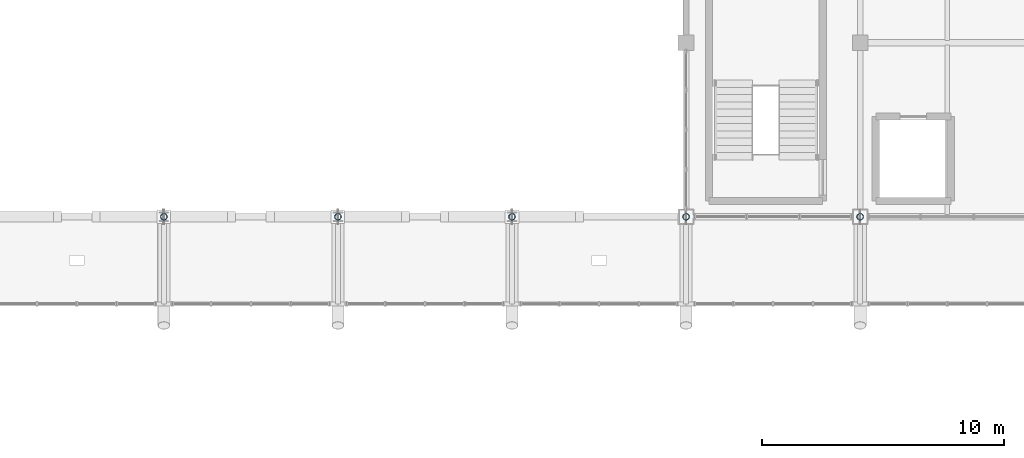
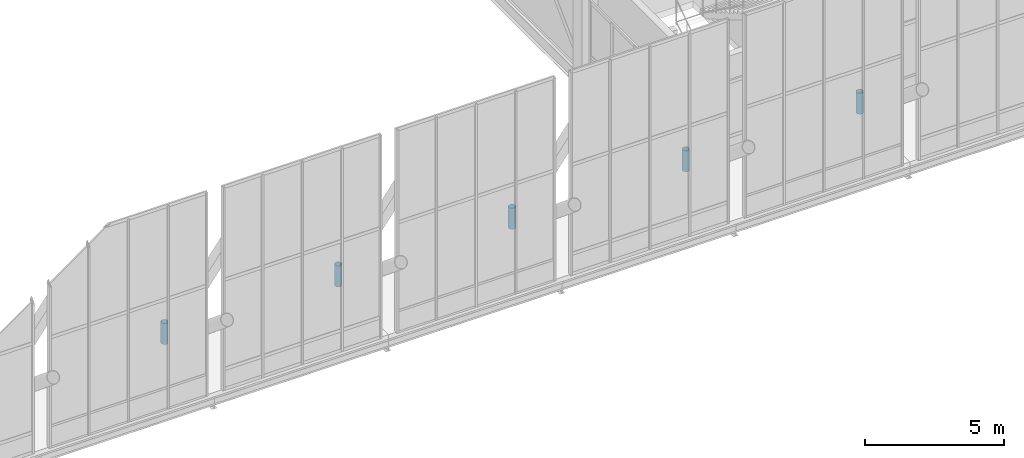
# One storey, part 71 of 102: 5 members.
"""IFC4 building model written with IfcOpenShell, lengths in metres."""

from ifc_helpers import new_model, si_unit, direction, frame, origin, origin_2d, place, context, subcontext, project, spatial, hollow_circle, extrude, material, material_profile, profile_set, type_object, element, save


model = new_model("IFC4")

# Units and contexts
model_context = context("Model", 3, precision=1e-05, world=origin(), true_north=direction((0.0, 1.0)))
body_context = subcontext(model_context, "Body", "Model", "MODEL_VIEW")
ifc_project = project(units=[si_unit("LENGTHUNIT", "METRE"), si_unit("AREAUNIT", "SQUARE_METRE"), si_unit("VOLUMEUNIT", "CUBIC_METRE"), si_unit("PLANEANGLEUNIT", "RADIAN"), si_unit("MASSUNIT", "GRAM", prefix="KILO")], contexts=[model_context])

# Site, building, storey
site_placement = place(None, origin())
site = spatial("IfcSite", under=ifc_project, at=site_placement, CompositionType="ELEMENT")
building_placement = place(site_placement, origin())
building = spatial("IfcBuilding", under=site, at=building_placement, Name="Yarey Park Central Fire Station", CompositionType="ELEMENT")
storey_placement = place(building_placement, frame((0.0, 0.0, 6.0)))
storey = spatial("IfcBuildingStorey", under=building, at=storey_placement, Name="L02", CompositionType="ELEMENT", Elevation=6.0)

# Members
ifc_material = material(Name="Steel ASTM A500 Gr. C", Category="steel")
ifc_material_profile = material_profile(ifc_material, hollow_circle(Radius=0.136474609375, WallThickness=0.012451171875, at=origin_2d()), Name="CHS 273x12.5")
ifc_profile_set = profile_set([ifc_material_profile], Name="Steel ASTM A500 Gr. C")
member_type = type_object("IfcMemberType", Name="STR_WEB_CHS273", PredefinedType="BRACE", material=ifc_profile_set)
for number, where, z_axis, x_axis, name in (
    (1, (93.60009765625, 93.60009765625, 0.0), (0.0, 0.0, 1.0), (1.0, 0.0, 0.0), "Arched Roof Truss ART_06 Vertical 9"),
    (2, (100.800048828125, 93.60009765625, 0.0), (0.0, 0.0, 1.0), (1.0, 0.0, 0.0), "Arched Roof Truss ART_07 Vertical 9"),
    (3, (108.0, 93.60009765625, 0.0), (0.0, 0.0, 1.0), (1.0, 0.0, 0.0), "Arched Roof Truss ART_08 Vertical 9"),
    (4, (115.199951171875, 93.60009765625, 0.0), (0.0, 0.0, 1.0), (1.0, 0.0, 0.0), "Arched Roof Truss ART_09 Vertical 9"),
    (5, (122.39990234375, 93.60009765625, 0.0), (0.0, 0.0, 1.0), (1.0, 0.0, 0.0), "Arched Roof Truss ART_10 Vertical 9"),
):
    element("IfcMember", number, at=place(storey_placement, frame(where, z_axis=z_axis, x_axis=x_axis)), inside=storey, type_object=member_type, Name=name, PredefinedType="BRACE", context=body_context, shape_type="SweptSolid", body=[
        extrude(hollow_circle(Radius=0.136474609375, WallThickness=0.012451171875, at=origin_2d()), origin(), (0.0, 0.0, 1.0), 0.919921875),
    ])

save(model, "model.ifc")
